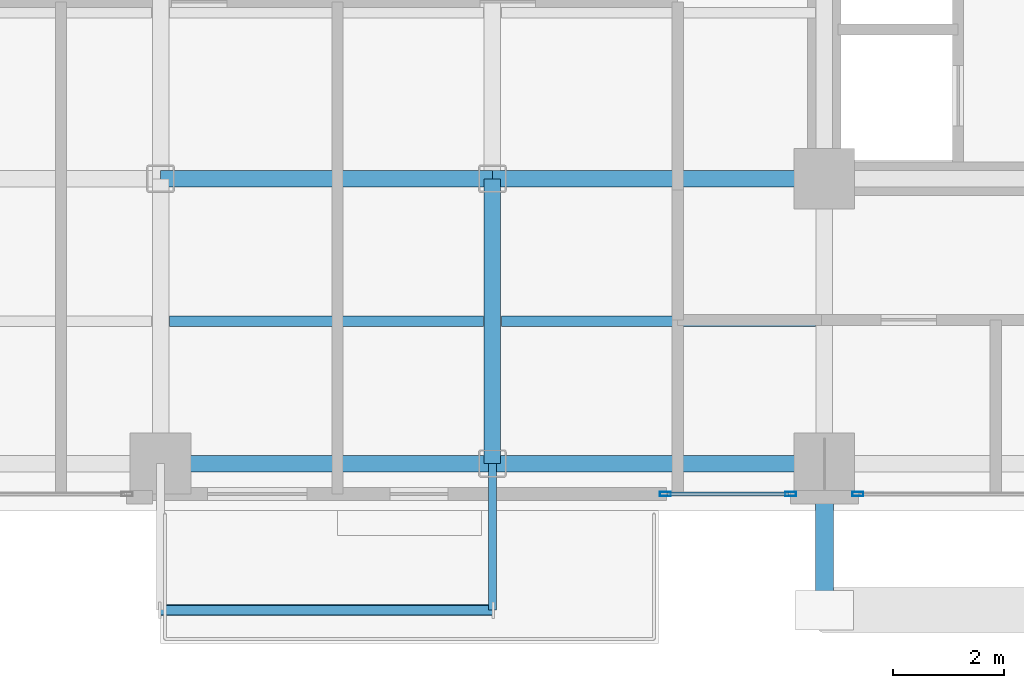
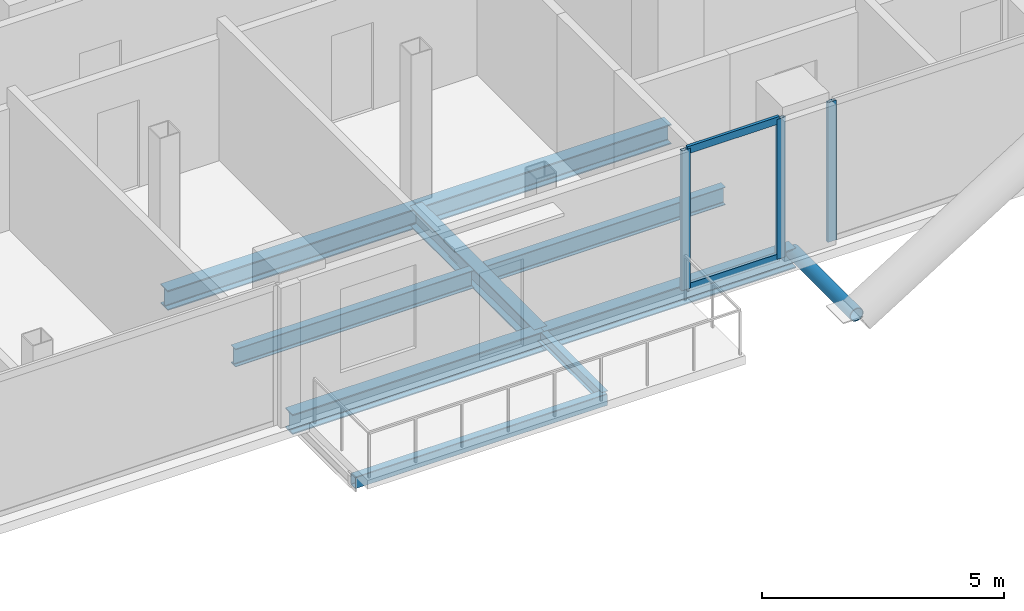
# One storey, part 3 of 24: 9 beams, 6 members, 2 elements without a shape of their own.
"""IFC4 building model written with IfcOpenShell, lengths in metres."""

from ifc_helpers import new_model, si_unit, direction, frame, origin, origin_2d, place, context, subcontext, project, spatial, hollow_rectangle, hollow_circle, i_section, extrude, material, layer, layer_set, material_profile, profile_set, type_object, element, aggregate, save


model = new_model("IFC4")

# Units and contexts
model_context = context("Model", 3, precision=1e-05, world=origin(), true_north=direction((0.0, 1.0)))
body_context = subcontext(model_context, "Body", "Model", "MODEL_VIEW")
ifc_project = project(units=[si_unit("LENGTHUNIT", "METRE"), si_unit("AREAUNIT", "SQUARE_METRE"), si_unit("VOLUMEUNIT", "CUBIC_METRE"), si_unit("PLANEANGLEUNIT", "RADIAN"), si_unit("MASSUNIT", "GRAM", prefix="KILO"), si_unit("THERMODYNAMICTEMPERATUREUNIT", "KELVIN"), si_unit("POWERUNIT", "WATT")], contexts=[model_context])

# Site, building, storey
site_placement = place(None, origin())
site = spatial("IfcSite", under=ifc_project, at=site_placement, CompositionType="ELEMENT")
building_placement = place(site_placement, origin())
building = spatial("IfcBuilding", under=site, at=building_placement, Name="Svarakhadi Broadcast Tower", CompositionType="ELEMENT")
storey_placement = place(building_placement, frame((0.0, 0.0, 115.64990234375)))
storey = spatial("IfcBuildingStorey", under=building, at=storey_placement, Name="L27", CompositionType="ELEMENT", Elevation=115.64990234375)

# Beams
ifc_material_1 = material(Name="Steel S355J2 (IS 2062 E350C)", Category="steel")
ifc_material_profile_1 = material_profile(ifc_material_1, i_section(OverallWidth=0.18994140625, OverallDepth=0.449951171875, WebThickness=0.009521484375, FlangeThickness=0.0146484375, FilletRadius=0.02099609375, at=origin_2d()), Name="NPB 450x190x78")
ifc_profile_set_1 = profile_set([ifc_material_profile_1], Name="Steel S355J2 (IS 2062 E350C)")
beam_type_1 = type_object("IfcBeamType", Name="Beam_NPB450", PredefinedType="BEAM", material=ifc_profile_set_1)
for number, where, z_axis, x_axis, name in (
    (1, (12.159912109375, 3.425048828125, -0.449951171875), (1.0, 0.0, 0.0), (0.0, 1.0, 0.0), "L27 Secondary Composite Beam SB011"),
    (2, (18.159912109375, 3.425048828125, -0.449951171875), (1.0, 0.0, 0.0), (0.0, 1.0, 0.0), "L27 Secondary Composite Beam SB016"),
):
    element("IfcBeam", number, at=place(storey_placement, frame(where, z_axis=z_axis, x_axis=x_axis)), inside=storey, type_object=beam_type_1, Name=name, PredefinedType="BEAM", context=body_context, shape_type="SweptSolid", body=[
        extrude(i_section(OverallWidth=0.18994140625, OverallDepth=0.449951171875, WebThickness=0.009521484375, FlangeThickness=0.0146484375, FilletRadius=0.02099609375, at=origin_2d()), origin(), (0.0, 0.0, 1.0), 5.68017578125),
    ])

# Curtain wall, member
ifc_material_2 = material(Name="Anodised Bronze Aluminium AA 6063-T6", Category="aluminium")
ifc_layer = layer(ifc_material_2, 0.199951171875)
ifc_layer_set = layer_set([ifc_layer], Name="Anodised Bronze Aluminium AA 6063-T6")
curtain_wall_type = type_object("IfcCurtainWallType", Name="CW_Sys_03", PredefinedType="NOTDEFINED", material=ifc_layer_set)
curtain_wall_1_placement = place(storey_placement, origin())
curtain_wall_1 = element("IfcCurtainWall", 3, at=curtain_wall_1_placement, inside=storey, type_object=curtain_wall_type, Name="L27 South Curtain Wall 16 Bay 3", PredefinedType="NOTDEFINED")
ifc_material_profile_2 = material_profile(ifc_material_2, hollow_rectangle(XDim=0.074951171875, YDim=0.199951171875, WallThickness=0.005615234375, at=origin_2d()), Name="ALU MULLION 200x75x6")
ifc_profile_set_2 = profile_set([ifc_material_profile_2], Name="Anodised Bronze Aluminium AA 6063-T6")
member_type_1 = type_object("IfcMemberType", Name="CW_Sys_03_Mul", PredefinedType="MULLION", material=ifc_profile_set_2)
member_1_placement = place(storey_placement, frame((24.607421875, 0.300048828125, 0.0), z_axis=(0.0, 0.0, 1.0), x_axis=(0.0, -1.0, 0.0)))
member_1 = element("IfcMember", 4, at=member_1_placement, type_object=member_type_1, Name="CW-03 mullion 2", PredefinedType="MULLION", context=body_context, shape_type="SweptSolid", body=[
    extrude(hollow_rectangle(XDim=0.074951171875, YDim=0.199951171875, WallThickness=0.005615234375, at=origin_2d()), origin(), (0.0, 0.0, 1.0), 3.525146484375),
])
aggregate(curtain_wall_1, [member_1])

# Curtain wall, members
curtain_wall_2_placement = place(storey_placement, origin())
curtain_wall_2 = element("IfcCurtainWall", 5, at=curtain_wall_2_placement, inside=storey, type_object=curtain_wall_type, Name="L27 South Curtain Wall 16 Bay 4", PredefinedType="NOTDEFINED")
member_2_placement = place(storey_placement, frame((23.392578125, 0.300048828125, 0.0), z_axis=(0.0, 0.0, 1.0), x_axis=(0.0, -1.0, 0.0)))
member_2 = element("IfcMember", 6, at=member_2_placement, type_object=member_type_1, Name="CW-03 mullion 1", PredefinedType="MULLION", context=body_context, shape_type="SweptSolid", body=[
    extrude(hollow_rectangle(XDim=0.074951171875, YDim=0.199951171875, WallThickness=0.005615234375, at=origin_2d()), origin(), (0.0, 0.0, 1.0), 3.525146484375),
])
member_3_placement = place(storey_placement, frame((21.12744140625, 0.300048828125, 0.0), z_axis=(0.0, 0.0, 1.0), x_axis=(0.0, -1.0, 0.0)))
member_3 = element("IfcMember", 7, at=member_3_placement, type_object=member_type_1, Name="CW-03 mullion 2", PredefinedType="MULLION", context=body_context, shape_type="SweptSolid", body=[
    extrude(hollow_rectangle(XDim=0.074951171875, YDim=0.199951171875, WallThickness=0.005615234375, at=origin_2d()), origin(), (0.0, 0.0, 1.0), 3.525146484375),
])
ifc_material_profile_3 = material_profile(ifc_material_2, hollow_rectangle(XDim=0.070068359375, YDim=0.18505859375, WallThickness=0.0048828125, at=origin_2d()), Name="ALU TRANSOM 185x70x5")
ifc_profile_set_3 = profile_set([ifc_material_profile_3], Name="Anodised Bronze Aluminium AA 6063-T6")
member_type_2 = type_object("IfcMemberType", Name="CW_Sys_03_Trn", PredefinedType="USERDEFINED", material=ifc_profile_set_3)
member_4_placement = place(storey_placement, frame((23.35498046875, 0.300048828125, 0.03515625), z_axis=(-1.0, 0.0, 0.0), x_axis=(0.0, -1.0, 0.0)))
member_4 = element("IfcMember", 8, at=member_4_placement, type_object=member_type_2, Name="CW-03 transom 1.1", ObjectType="TRANSOM", PredefinedType="USERDEFINED", context=body_context, shape_type="SweptSolid", body=[
    extrude(hollow_rectangle(XDim=0.070068359375, YDim=0.18505859375, WallThickness=0.0048828125, at=origin_2d()), origin(), (0.0, 0.0, 1.0), 2.18994140625),
])
member_5_placement = place(storey_placement, frame((23.35498046875, 0.300048828125, 3.489990234375), z_axis=(-1.0, 0.0, 0.0), x_axis=(0.0, -1.0, 0.0)))
member_5 = element("IfcMember", 9, at=member_5_placement, type_object=member_type_2, Name="CW-03 transom 1.2", ObjectType="TRANSOM", PredefinedType="USERDEFINED", context=body_context, shape_type="SweptSolid", body=[
    extrude(hollow_rectangle(XDim=0.070068359375, YDim=0.18505859375, WallThickness=0.0048828125, at=origin_2d()), origin(), (0.0, 0.0, 1.0), 2.18994140625),
])
aggregate(curtain_wall_2, [member_2, member_3, member_4, member_5])

# Member
ifc_material_3 = material(Name="Steel S460ML (IS 2062 E450BR)", Category="steel")
ifc_material_profile_4 = material_profile(ifc_material_3, hollow_circle(Radius=0.161865234375, WallThickness=0.01611328125, at=origin_2d()), Name="CHS 323.9x16")
ifc_profile_set_4 = profile_set([ifc_material_profile_4], Name="Steel S460ML (IS 2062 E450BR)")
member_type_3 = type_object("IfcMemberType", Name="Exo_Radial_Strut_Z2", PredefinedType="STRUT", material=ifc_profile_set_4)
member_6_placement = place(storey_placement, frame((24.0, -1.800048828125, -0.386962890625), z_axis=(0.0, 1.0, 0.0), x_axis=(-1.0, 0.0, 0.0)))
element("IfcMember", 10, at=member_6_placement, inside=storey, type_object=member_type_3, Name="L27 Exoskeleton Radial Tie Strut S01", PredefinedType="STRUT", context=body_context, shape_type="SweptSolid", body=[
    extrude(hollow_circle(Radius=0.161865234375, WallThickness=0.01611328125, at=origin_2d()), origin(), (0.0, 0.0, 1.0), 2.650146484375),
])

# Beams
ifc_material_profile_5 = material_profile(ifc_material_1, i_section(OverallWidth=0.300048828125, OverallDepth=0.5, WebThickness=0.014404296875, FlangeThickness=0.028076171875, FilletRadius=0.027099609375, at=origin_2d()), Name="WPB 500x300x187")
ifc_profile_set_5 = profile_set([ifc_material_profile_5], Name="Steel S355J2 (IS 2062 E350C)")
beam_type_2 = type_object("IfcBeamType", Name="Girder_WPB500", PredefinedType="USERDEFINED", material=ifc_profile_set_5)
for number, where, z_axis, x_axis, name in (
    (11, (12.0, 0.85009765625, -0.474853515625), (1.0, 0.0, 0.0), (0.0, 1.0, 0.0), "L27 Primary E-W Girder G005"),
    (12, (18.0, 0.85009765625, -0.474853515625), (1.0, 0.0, 0.0), (0.0, 1.0, 0.0), "L27 Primary E-W Girder G006"),
    (13, (12.0, 6.0, -0.474853515625), (1.0, 0.0, 0.0), (0.0, 1.0, 0.0), "L27 Primary E-W Girder G012"),
    (14, (18.0, 6.0, -0.474853515625), (1.0, 0.0, 0.0), (0.0, 1.0, 0.0), "L27 Primary E-W Girder G013"),
):
    element("IfcBeam", number, at=place(storey_placement, frame(where, z_axis=z_axis, x_axis=x_axis)), inside=storey, type_object=beam_type_2, Name=name, ObjectType="GIRDER", PredefinedType="USERDEFINED", context=body_context, shape_type="SweptSolid", body=[
        extrude(i_section(OverallWidth=0.300048828125, OverallDepth=0.5, WebThickness=0.014404296875, FlangeThickness=0.028076171875, FilletRadius=0.027099609375, at=origin_2d()), origin(), (0.0, 0.0, 1.0), 6.0),
    ])
beam_1_placement = place(storey_placement, frame((18.0, 0.85009765625, -0.474853515625), z_axis=(0.0, 1.0, 0.0), x_axis=(-1.0, 0.0, 0.0)))
element("IfcBeam", 15, at=beam_1_placement, inside=storey, type_object=beam_type_2, Name="L27 Primary N-S Girder G056", ObjectType="GIRDER", PredefinedType="USERDEFINED", context=body_context, shape_type="SweptSolid", body=[
    extrude(i_section(OverallWidth=0.300048828125, OverallDepth=0.5, WebThickness=0.014404296875, FlangeThickness=0.028076171875, FilletRadius=0.027099609375, at=origin_2d()), origin(), (0.0, 0.0, 1.0), 5.14990234375),
])
ifc_material_profile_6 = material_profile(ifc_material_1, i_section(OverallWidth=0.14990234375, OverallDepth=0.300048828125, WebThickness=0.007080078125, FlangeThickness=0.0107421875, FilletRadius=0.014892578125, at=origin_2d()), Name="NPB 300x150x37")
ifc_profile_set_6 = profile_set([ifc_material_profile_6], Name="Steel S355J2 (IS 2062 E350C)")
beam_type_3 = type_object("IfcBeamType", Name="Spandrel_NPB300", PredefinedType="SPANDREL", material=ifc_profile_set_6)
beam_2_placement = place(storey_placement, frame((18.0, 0.85009765625, -0.375), z_axis=(0.0, -1.0, 0.0), x_axis=(1.0, 0.0, 0.0)))
element("IfcBeam", 16, at=beam_2_placement, inside=storey, type_object=beam_type_3, Name="L27 Balcony Cantilever Bracket 1B", PredefinedType="SPANDREL", context=body_context, shape_type="SweptSolid", body=[
    extrude(i_section(OverallWidth=0.14990234375, OverallDepth=0.300048828125, WebThickness=0.007080078125, FlangeThickness=0.0107421875, FilletRadius=0.014892578125, at=origin_2d()), origin(), (0.0, 0.0, 1.0), 2.650146484375),
])
ifc_material_profile_7 = material_profile(ifc_material_3, hollow_rectangle(XDim=0.199951171875, YDim=0.300048828125, WallThickness=0.012451171875, InnerFilletRadius=0.012451171875, OuterFilletRadius=0.02490234375, at=origin_2d()), Name="RHS 300x200x12.5")
ifc_profile_set_7 = profile_set([ifc_material_profile_7], Name="Steel S460ML (IS 2062 E450BR)")
beam_type_4 = type_object("IfcBeamType", Name="Spandrel_RHS300", PredefinedType="SPANDREL", material=ifc_profile_set_7)
beam_3_placement = place(storey_placement, frame((12.0, -1.800048828125, -0.375), z_axis=(1.0, 0.0, 0.0), x_axis=(0.0, 1.0, 0.0)))
element("IfcBeam", 17, at=beam_3_placement, inside=storey, type_object=beam_type_4, Name="L27 Balcony Outer Spandrel 1F", PredefinedType="SPANDREL", context=body_context, shape_type="SweptSolid", body=[
    extrude(hollow_rectangle(XDim=0.199951171875, YDim=0.300048828125, WallThickness=0.012451171875, InnerFilletRadius=0.012451171875, OuterFilletRadius=0.02490234375, at=origin_2d()), origin(), (0.0, 0.0, 1.0), 6.0),
])

save(model, "model.ifc")
